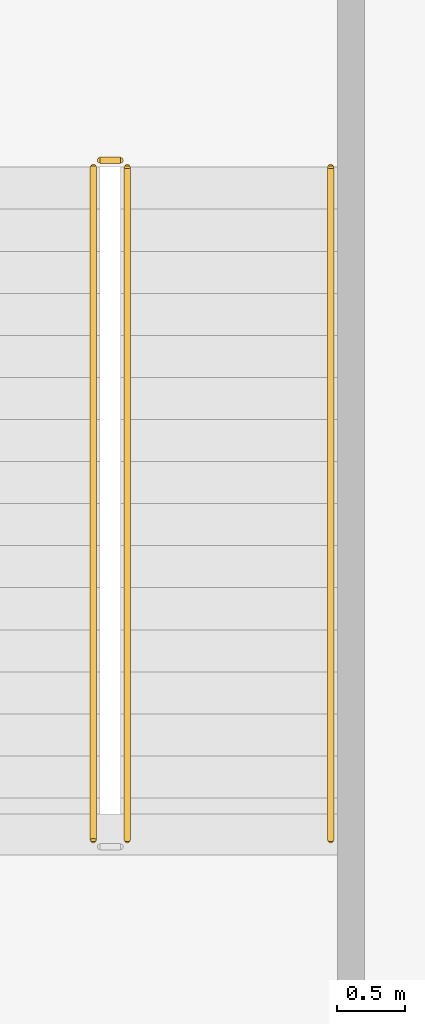
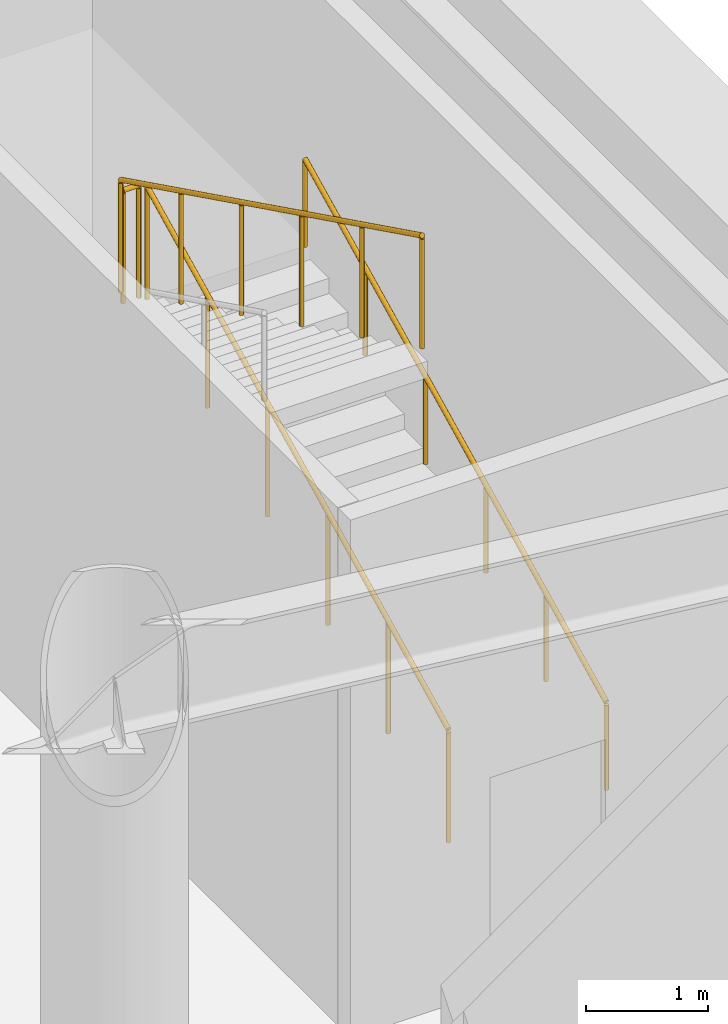
# One storey, part 9 of 9: 4 railings.
"""IFC4 building model written with IfcOpenShell, lengths in metres."""

from ifc_helpers import new_model, si_unit, direction, frame, origin, origin_2d, place, context, subcontext, project, spatial, circle, extrude, material, type_object, element, save


model = new_model("IFC4")

# Units and contexts
model_context = context("Model", 3, precision=1e-05, world=origin(), true_north=direction((0.0, 1.0)))
body_context = subcontext(model_context, "Body", "Model", "MODEL_VIEW")
ifc_project = project(units=[si_unit("LENGTHUNIT", "METRE"), si_unit("AREAUNIT", "SQUARE_METRE"), si_unit("VOLUMEUNIT", "CUBIC_METRE"), si_unit("PLANEANGLEUNIT", "RADIAN"), si_unit("MASSUNIT", "GRAM", prefix="KILO")], contexts=[model_context])

# Site, building, storey
site_placement = place(None, origin())
site = spatial("IfcSite", under=ifc_project, at=site_placement, CompositionType="ELEMENT")
building_placement = place(site_placement, origin())
building = spatial("IfcBuilding", under=site, at=building_placement, Name="Vaeldorn Concourse Tower", CompositionType="ELEMENT")
storey_placement = place(building_placement, frame((0.0, 0.0, -5.199951171875)))
storey = spatial("IfcBuildingStorey", under=building, at=storey_placement, Name="B01", CompositionType="ELEMENT", Elevation=-5.199951171875)

# Railings
ifc_material = material(Name="Anodised Bronze Aluminium", Category="aluminium")
railing_type_1 = type_object("IfcRailingType", Name="RL-STAIR-GUARD", PredefinedType="GUARDRAIL", material=ifc_material)
railing_1_placement = place(storey_placement, frame((64.699951171875, 38.449951171875, 0.15283203125)))
element("IfcRailing", 1, at=railing_1_placement, inside=storey, type_object=railing_type_1, Name="B01 ST-4 stair guard 1", PredefinedType="GUARDRAIL", context=body_context, shape_type="SweptSolid", body=[
    extrude(circle(Radius=0.02392578125, at=origin_2d()), frame((0.0, 0.0, 1.1259765625), z_axis=(0.0, 0.896798178328, 0.442439857323), x_axis=(-1.0, 0.0, 0.0)), (0.0, 0.0, 1.0), 5.53076171875),
    extrude(circle(Radius=0.02099609375, at=origin_2d()), origin(), (0.0, 0.0, 1.0), 1.101806640625),
    extrude(circle(Radius=0.02099609375, at=origin_2d()), frame((0.0, 0.991943359375, 0.489501953125)), (0.0, 0.0, 1.0), 1.101806640625),
    extrude(circle(Radius=0.02099609375, at=origin_2d()), frame((0.0, 1.98388671875, 0.978759765625)), (0.0, 0.0, 1.0), 1.101806640625),
    extrude(circle(Radius=0.02099609375, at=origin_2d()), frame((0.0, 2.97607421875, 1.46826171875)), (0.0, 0.0, 1.0), 1.101806640625),
    extrude(circle(Radius=0.02099609375, at=origin_2d()), frame((0.0, 3.968017578125, 1.95751953125)), (0.0, 0.0, 1.0), 1.101806640625),
    extrude(circle(Radius=0.02099609375, at=origin_2d()), frame((0.0, 4.9599609375, 2.447021484375)), (0.0, 0.0, 1.0), 1.101806640625),
])
railing_2_placement = place(storey_placement, frame((64.64990234375, 43.4599609375, 2.599853515625)))
element("IfcRailing", 2, at=railing_2_placement, inside=storey, type_object=railing_type_1, Name="B01 ST-4 stair guard 2", PredefinedType="GUARDRAIL", context=body_context, shape_type="SweptSolid", body=[
    extrude(circle(Radius=0.02392578125, at=origin_2d()), frame((0.0, 0.0, 1.1259765625), z_axis=(-1.0, 0.0, 0.0), x_axis=(0.0, -1.0, 0.0)), (0.0, 0.0, 1.0), 0.14990234375),
    extrude(circle(Radius=0.02099609375, at=origin_2d()), origin(), (0.0, 0.0, 1.0), 1.101806640625),
    extrude(circle(Radius=0.02099609375, at=origin_2d()), frame((-0.14990234375, 0.0, 0.0)), (0.0, 0.0, 1.0), 1.101806640625),
])
railing_3_placement = place(storey_placement, frame((64.449951171875, 43.409912109375, 2.7529296875)))
element("IfcRailing", 3, at=railing_3_placement, inside=storey, type_object=railing_type_1, Name="B01 ST-4 stair guard 3", PredefinedType="GUARDRAIL", context=body_context, shape_type="SweptSolid", body=[
    extrude(circle(Radius=0.02392578125, at=origin_2d()), frame((0.0, 0.0, 1.1259765625), z_axis=(0.0, -0.896798178328, 0.442439857323), x_axis=(1.0, 0.0, 0.0)), (0.0, 0.0, 1.0), 5.53076171875),
    extrude(circle(Radius=0.02099609375, at=origin_2d()), origin(), (0.0, 0.0, 1.0), 1.101806640625),
    extrude(circle(Radius=0.02099609375, at=origin_2d()), frame((0.0, -0.991943359375, 0.489501953125)), (0.0, 0.0, 1.0), 1.101806640625),
    extrude(circle(Radius=0.02099609375, at=origin_2d()), frame((0.0, -1.98388671875, 0.978759765625)), (0.0, 0.0, 1.0), 1.101806640625),
    extrude(circle(Radius=0.02099609375, at=origin_2d()), frame((0.0, -2.97607421875, 1.46826171875)), (0.0, 0.0, 1.0), 1.101806640625),
    extrude(circle(Radius=0.02099609375, at=origin_2d()), frame((0.0, -3.968017578125, 1.95751953125)), (0.0, 0.0, 1.0), 1.101806640625),
    extrude(circle(Radius=0.02099609375, at=origin_2d()), frame((0.0, -4.9599609375, 2.447021484375)), (0.0, 0.0, 1.0), 1.101806640625),
])
railing_type_2 = type_object("IfcRailingType", Name="RL-STAIR-HANDRAIL", PredefinedType="HANDRAIL", material=ifc_material)
railing_4_placement = place(storey_placement, frame((66.199951171875, 38.449951171875, 0.15283203125)))
element("IfcRailing", 4, at=railing_4_placement, inside=storey, type_object=railing_type_2, Name="B01 ST-4 stair handrail 1", PredefinedType="HANDRAIL", context=body_context, shape_type="SweptSolid", body=[
    extrude(circle(Radius=0.02392578125, at=origin_2d()), frame((0.0, 0.0, 0.8759765625), z_axis=(0.0, 0.896798178328, 0.442439857323), x_axis=(-1.0, 0.0, 0.0)), (0.0, 0.0, 1.0), 5.53076171875),
    extrude(circle(Radius=0.02099609375, at=origin_2d()), origin(), (0.0, 0.0, 1.0), 0.851806640625),
    extrude(circle(Radius=0.02099609375, at=origin_2d()), frame((0.0, 0.991943359375, 0.489501953125)), (0.0, 0.0, 1.0), 0.851806640625),
    extrude(circle(Radius=0.02099609375, at=origin_2d()), frame((0.0, 1.98388671875, 0.978759765625)), (0.0, 0.0, 1.0), 0.851806640625),
    extrude(circle(Radius=0.02099609375, at=origin_2d()), frame((0.0, 2.97607421875, 1.46826171875)), (0.0, 0.0, 1.0), 0.851806640625),
    extrude(circle(Radius=0.02099609375, at=origin_2d()), frame((0.0, 3.968017578125, 1.95751953125)), (0.0, 0.0, 1.0), 0.851806640625),
    extrude(circle(Radius=0.02099609375, at=origin_2d()), frame((0.0, 4.9599609375, 2.447021484375)), (0.0, 0.0, 1.0), 0.851806640625),
])

save(model, "model.ifc")
